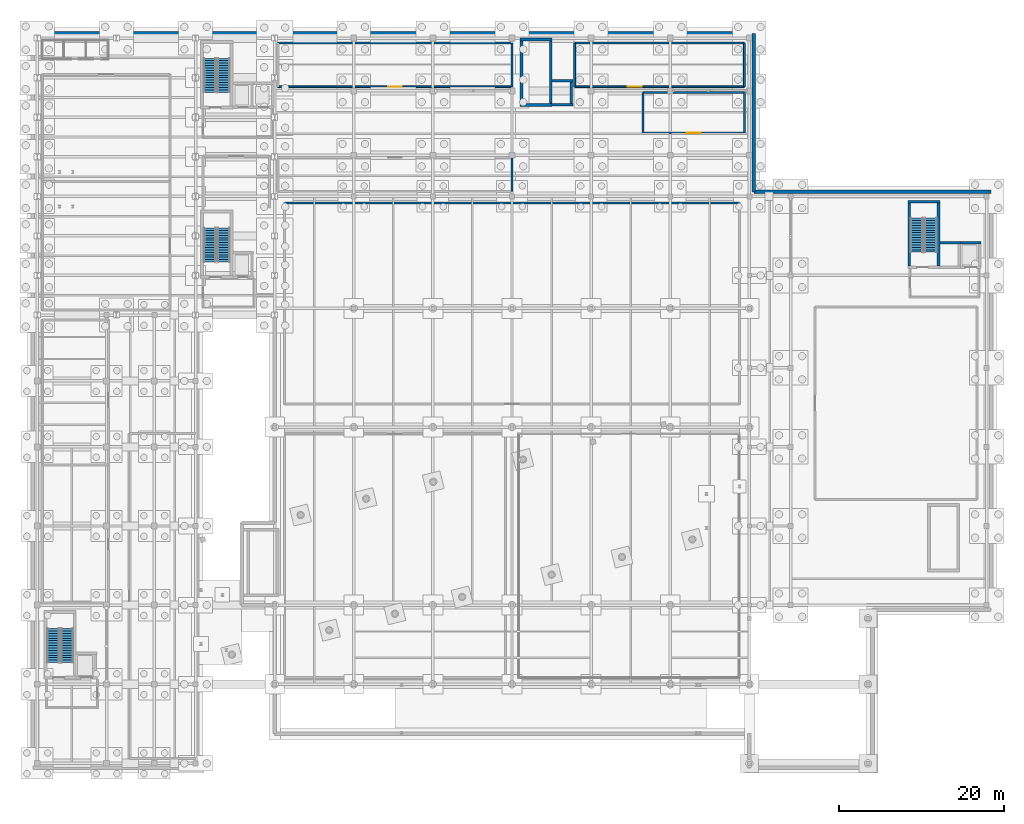
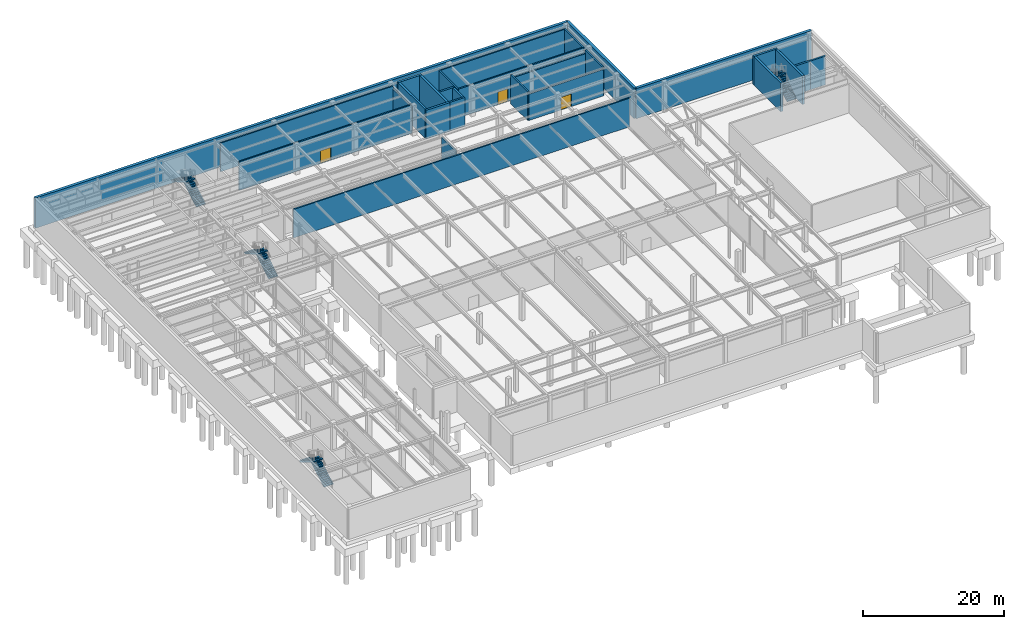
# One storey, part 27 of 33: 28 walls, 8 stair flights, 3 doors, 3 openings, 4 elements without a shape of their own.
"""IFC4 building model written with IfcOpenShell, lengths in metres."""

from ifc_helpers import new_model, si_unit, direction, frame, frame_2d, origin, place, context, subcontext, project, spatial, polyline, rectangle, outline, extrude, material, layer, layer_set, type_object, element, fill, aggregate, save


model = new_model("IFC4")

# Units and contexts
model_context = context("Model", 3, precision=1e-05, world=origin(), true_north=direction((0.0, 1.0)))
body_context = subcontext(model_context, "Body", "Model", "MODEL_VIEW")
ifc_project = project(units=[si_unit("LENGTHUNIT", "METRE"), si_unit("AREAUNIT", "SQUARE_METRE"), si_unit("VOLUMEUNIT", "CUBIC_METRE"), si_unit("PLANEANGLEUNIT", "RADIAN"), si_unit("MASSUNIT", "GRAM", prefix="KILO")], contexts=[model_context])

# Site, building, storey
site_placement = place(None, origin())
site = spatial("IfcSite", under=ifc_project, at=site_placement, CompositionType="ELEMENT")
building_placement = place(site_placement, origin())
building = spatial("IfcBuilding", under=site, at=building_placement, Name="Nordkorset Police Headquarters", CompositionType="ELEMENT")
storey_placement = place(building_placement, frame((0.0, 0.0, -9.800048828125)))
storey = spatial("IfcBuildingStorey", under=building, at=storey_placement, Name="B02", CompositionType="ELEMENT", Elevation=-9.800048828125)

# Wall, opening, door
ifc_material_1 = material(Name="Gypsum board", Category="gypsum")
ifc_layer_1 = layer(ifc_material_1, 0.219970703125, Name="Gypsum board")
ifc_layer_set_1 = layer_set([ifc_layer_1], Name="Gypsum board")
wall_type_1 = type_object("IfcWallType", Name="Wall_Comp_220", PredefinedType="PARTITIONING", material=ifc_layer_set_1)
wall_1_placement = place(storey_placement, frame((29.199951171875, 110.89990234375, 0.0), z_axis=(0.0, 0.0, 1.0), x_axis=(1.0, 0.0, 0.0)))
wall_1 = element("IfcWall", 1, at=wall_1_placement, inside=storey, type_object=wall_type_1, Name="Interior Partition Wall Compact Mobile Shelving Archive West", PredefinedType="PARTITIONING", context=body_context, shape_type="SweptSolid", body=[
    extrude(rectangle(XDim=28.400146484375, YDim=0.219970703125, at=frame_2d((14.2001953125, 0.0))), origin(), (0.0, 0.0, 1.0), 4.969970703125),
])
opening_1_placement = place(wall_1_placement, frame((13.360107421875, 0.0, 0.0)))
opening_1 = element("IfcOpeningElement", 2, at=opening_1_placement, cuts=wall_1, Name="Opening DR-15", PredefinedType="OPENING", context=body_context, shape_type="SweptSolid", body=[
    extrude(rectangle(XDim=1.679931640625, YDim=2.199951171875, at=frame_2d((0.83984375, 1.10009765625))), frame((0.0, 0.1201171875, 0.0), z_axis=(0.0, -1.0, 0.0), x_axis=(1.0, 0.0, 0.0)), (0.0, 0.0, 1.0), 0.239990234375),
])
ifc_material_2 = material(Name="Steel S355J2", Category="steel")
door_type = type_object("IfcDoorType", Name="Door_PlantDouble_1680x2200", OperationType="DOUBLE_DOOR_SINGLE_SWING", PredefinedType="DOOR", material=ifc_material_2)
door_1_placement = place(opening_1_placement, origin())
door_1 = element("IfcDoor", 3, at=door_1_placement, inside=storey, type_object=door_type, Name="Interior Door Compact Mobile Shelving Archive West", OperationType="DOUBLE_DOOR_SINGLE_SWING", OverallHeight=2.199951171875, OverallWidth=1.679931640625, PredefinedType="DOOR", context=body_context, shape_type="SweptSolid", body=[
    extrude(rectangle(XDim=1.679931640625, YDim=2.199951171875, at=frame_2d((0.83984375, 1.10009765625))), frame((0.0, 0.02490234375, 0.0), z_axis=(0.0, -1.0, 0.0), x_axis=(1.0, 0.0, 0.0)), (0.0, 0.0, 1.0), 0.050048828125),
])
fill(opening_1, door_1)

# Walls
wall_2_placement = place(storey_placement, frame((57.60009765625, 110.89990234375, 0.0), z_axis=(0.0, 0.0, 1.0), x_axis=(0.0, 1.0, 0.0)))
element("IfcWall", 4, at=wall_2_placement, inside=storey, type_object=wall_type_1, Name="Interior Partition Wall Compact Mobile Shelving Archive West", PredefinedType="PARTITIONING", context=body_context, shape_type="SweptSolid", body=[
    extrude(rectangle(XDim=5.300048828125, YDim=0.219970703125, at=frame_2d((2.64990234375, 0.0))), origin(), (0.0, 0.0, 1.0), 4.510009765625),
])
wall_3_placement = place(storey_placement, frame((57.60009765625, 116.199951171875, 0.0), z_axis=(0.0, 0.0, 1.0), x_axis=(-1.0, 0.0, 0.0)))
element("IfcWall", 5, at=wall_3_placement, inside=storey, type_object=wall_type_1, Name="Interior Partition Wall Compact Mobile Shelving Archive West", PredefinedType="PARTITIONING", context=body_context, shape_type="SweptSolid", body=[
    extrude(rectangle(XDim=28.400146484375, YDim=0.219970703125, at=frame_2d((14.2001953125, 0.0))), origin(), (0.0, 0.0, 1.0), 4.969970703125),
])

# Wall, opening, door
wall_4_placement = place(storey_placement, frame((65.199951171875, 110.89990234375, 0.0), z_axis=(0.0, 0.0, 1.0), x_axis=(1.0, 0.0, 0.0)))
wall_4 = element("IfcWall", 6, at=wall_4_placement, inside=storey, type_object=wall_type_1, Name="Interior Partition Wall Compact Mobile Shelving Archive East", PredefinedType="PARTITIONING", context=body_context, shape_type="SweptSolid", body=[
    extrude(rectangle(XDim=20.60009765625, YDim=0.219970703125, at=frame_2d((10.300048828125, 0.0))), origin(), (0.0, 0.0, 1.0), 4.969970703125),
])
opening_2_placement = place(wall_4_placement, frame((6.4599609375, 0.0, 0.0)))
opening_2 = element("IfcOpeningElement", 7, at=opening_2_placement, cuts=wall_4, Name="Opening DR-15", PredefinedType="OPENING", context=body_context, shape_type="SweptSolid", body=[
    extrude(rectangle(XDim=1.679931640625, YDim=2.199951171875, at=frame_2d((0.83984375, 1.10009765625))), frame((0.0, 0.1201171875, 0.0), z_axis=(0.0, -1.0, 0.0), x_axis=(1.0, 0.0, 0.0)), (0.0, 0.0, 1.0), 0.239990234375),
])
door_2_placement = place(opening_2_placement, frame((1.679931640625, 0.0, 0.0), z_axis=(0.0, 0.0, 1.0), x_axis=(-1.0, 0.0, 0.0)))
door_2 = element("IfcDoor", 8, at=door_2_placement, inside=storey, type_object=door_type, Name="Interior Door Compact Mobile Shelving Archive East", OperationType="DOUBLE_DOOR_SINGLE_SWING", OverallHeight=2.199951171875, OverallWidth=1.679931640625, PredefinedType="DOOR", context=body_context, shape_type="SweptSolid", body=[
    extrude(rectangle(XDim=1.679931640625, YDim=2.199951171875, at=frame_2d((0.83984375, 1.10009765625))), frame((0.0, 0.02490234375, 0.0), z_axis=(0.0, -1.0, 0.0), x_axis=(1.0, 0.0, 0.0)), (0.0, 0.0, 1.0), 0.050048828125),
])
fill(opening_2, door_2)

# Walls
wall_5_placement = place(storey_placement, frame((85.800048828125, 110.89990234375, 0.0), z_axis=(0.0, 0.0, 1.0), x_axis=(0.0, 1.0, 0.0)))
element("IfcWall", 9, at=wall_5_placement, inside=storey, type_object=wall_type_1, Name="Interior Partition Wall Compact Mobile Shelving Archive East", PredefinedType="PARTITIONING", context=body_context, shape_type="SweptSolid", body=[
    extrude(rectangle(XDim=5.300048828125, YDim=0.219970703125, at=frame_2d((2.64990234375, 0.0))), origin(), (0.0, 0.0, 1.0), 4.969970703125),
])
wall_6_placement = place(storey_placement, frame((85.800048828125, 116.199951171875, 0.0), z_axis=(0.0, 0.0, 1.0), x_axis=(-1.0, 0.0, 0.0)))
element("IfcWall", 10, at=wall_6_placement, inside=storey, type_object=wall_type_1, Name="Interior Partition Wall Compact Mobile Shelving Archive East", PredefinedType="PARTITIONING", context=body_context, shape_type="SweptSolid", body=[
    extrude(rectangle(XDim=20.60009765625, YDim=0.219970703125, at=frame_2d((10.300048828125, 0.0))), origin(), (0.0, 0.0, 1.0), 4.969970703125),
])
wall_7_placement = place(storey_placement, frame((65.199951171875, 116.199951171875, 0.0), z_axis=(0.0, 0.0, 1.0), x_axis=(0.0, -1.0, 0.0)))
element("IfcWall", 11, at=wall_7_placement, inside=storey, type_object=wall_type_1, Name="Interior Partition Wall Compact Mobile Shelving Archive East", PredefinedType="PARTITIONING", context=body_context, shape_type="SweptSolid", body=[
    extrude(rectangle(XDim=5.300048828125, YDim=0.219970703125, at=frame_2d((2.64990234375, 0.0))), origin(), (0.0, 0.0, 1.0), 4.969970703125),
])
wall_8_placement = place(storey_placement, frame((57.60009765625, 98.199951171875, 0.0), z_axis=(0.0, 0.0, 1.0), x_axis=(0.0, 1.0, 0.0)))
element("IfcWall", 12, at=wall_8_placement, inside=storey, type_object=wall_type_1, Name="Interior Partition Wall Main Switchgear Plant Room", PredefinedType="PARTITIONING", context=body_context, shape_type="SweptSolid", body=[
    extrude(rectangle(XDim=4.10009765625, YDim=0.219970703125, at=frame_2d((2.050048828125, 0.0))), origin(), (0.0, 0.0, 1.0), 4.510009765625),
])
wall_9_placement = place(storey_placement, frame((85.199951171875, 96.800048828125, 0.0), z_axis=(0.0, 0.0, 1.0), x_axis=(-1.0, 0.0, 0.0)))
element("IfcWall", 13, at=wall_9_placement, inside=storey, type_object=wall_type_1, Name="Interior Partition Wall Central Bulk Evidence Archive", PredefinedType="PARTITIONING", context=body_context, shape_type="SweptSolid", body=[
    extrude(rectangle(XDim=55.199951171875, YDim=0.219970703125, at=frame_2d((27.60009765625, 0.0))), origin(), (0.0, 0.0, 1.0), 4.969970703125),
])
ifc_material_3 = material(Name="Concrete C35/45", Category="concrete")
ifc_layer_2 = layer(ifc_material_3, 0.35009765625, Name="Concrete C35/45")
ifc_layer_set_2 = layer_set([ifc_layer_2], Name="Concrete C35/45")
wall_type_2 = type_object("IfcWallType", Name="Wall_CoreShear_350", PredefinedType="SHEAR", material=ifc_layer_set_2)
for number, where, z_axis, x_axis, name in (
    (14, (58.574951171875, 108.699951171875, 0.0), (0.0, 0.0, 1.0), (1.0, 0.0, 0.0), "Core K2 Stair Shaft South Shear Wall B02"),
    (15, (58.574951171875, 116.64990234375, 0.0), (0.0, 0.0, 1.0), (1.0, 0.0, 0.0), "Core K2 Stair Shaft North Shear Wall B02"),
):
    element("IfcWall", number, at=place(storey_placement, frame(where, z_axis=z_axis, x_axis=x_axis)), inside=storey, type_object=wall_type_2, Name=name, PredefinedType="SHEAR", context=body_context, shape_type="SweptSolid", body=[
        extrude(rectangle(XDim=3.900146484375, YDim=0.35009765625, at=frame_2d((1.9501953125, 0.0))), origin(), (0.0, 0.0, 1.0), 4.969970703125),
    ])
for number, where, z_axis, x_axis, name in (
    (16, (58.75, 108.875, 0.0), (0.0, 0.0, 1.0), (0.0, 1.0, 0.0), "Core K2 Stair Shaft West Shear Wall B02"),
    (17, (62.300048828125, 108.875, 0.0), (0.0, 0.0, 1.0), (0.0, 1.0, 0.0), "Core K2 Stair Shaft East Shear Wall B02"),
):
    element("IfcWall", number, at=place(storey_placement, frame(where, z_axis=z_axis, x_axis=x_axis)), inside=storey, type_object=wall_type_2, Name=name, PredefinedType="SHEAR", context=body_context, shape_type="SweptSolid", body=[
        extrude(rectangle(XDim=7.60009765625, YDim=0.35009765625, at=frame_2d((3.800048828125, 0.0))), origin(), (0.0, 0.0, 1.0), 4.969970703125),
    ])
wall_10_placement = place(storey_placement, frame((105.625, 96.949951171875, 0.0), z_axis=(0.0, 0.0, 1.0), x_axis=(1.0, 0.0, 0.0)))
element("IfcWall", 18, at=wall_10_placement, inside=storey, type_object=wall_type_2, Name="Core K5 Stair Shaft North Shear Wall B02", PredefinedType="SHEAR", context=body_context, shape_type="SweptSolid", body=[
    extrude(rectangle(XDim=3.89990234375, YDim=0.35009765625, at=frame_2d((1.949951171875, 0.0))), origin(), (0.0, 0.0, 1.0), 4.969970703125),
])
for number, where, z_axis, x_axis, name in (
    (19, (105.800048828125, 89.175048828125, 0.0), (0.0, 0.0, 1.0), (0.0, 1.0, 0.0), "Core K5 Stair Shaft West Shear Wall B02"),
    (20, (109.35009765625, 89.175048828125, 0.0), (0.0, 0.0, 1.0), (0.0, 1.0, 0.0), "Core K5 Stair Shaft East Shear Wall B02"),
):
    element("IfcWall", number, at=place(storey_placement, frame(where, z_axis=z_axis, x_axis=x_axis)), inside=storey, type_object=wall_type_2, Name=name, PredefinedType="SHEAR", context=body_context, shape_type="SweptSolid", body=[
        extrude(rectangle(XDim=7.599853515625, YDim=0.35009765625, at=frame_2d((3.7998046875, 0.0))), origin(), (0.0, 0.0, 1.0), 4.969970703125),
    ])
ifc_material_4 = material(Name="Concrete C40/50", Category="concrete")
ifc_layer_3 = layer(ifc_material_4, 0.449951171875, Name="Concrete C40/50")
ifc_layer_set_3 = layer_set([ifc_layer_3], Name="Concrete C40/50")
wall_type_3 = type_object("IfcWallType", Name="Wall_Retaining_450", PredefinedType="USERDEFINED", material=ifc_layer_set_3)
wall_11_placement = place(storey_placement, frame((-0.550048828125, 117.35009765625, 0.0), z_axis=(0.0, 0.0, 1.0), x_axis=(1.0, 0.0, 0.0)))
element("IfcWall", 21, at=wall_11_placement, inside=storey, type_object=wall_type_3, Name="Basement Perimeter Retaining Wall B02 W-N1", ObjectType="RETAINING WALL", PredefinedType="USERDEFINED", context=body_context, shape_type="SweptSolid", body=[
    extrude(rectangle(XDim=87.5, YDim=0.449951171875, at=frame_2d((43.75, 0.0))), origin(), (0.0, 0.0, 1.0), 5.25),
])
wall_12_placement = place(storey_placement, frame((86.949951171875, 98.14990234375, 0.0), z_axis=(0.0, 0.0, 1.0), x_axis=(1.0, 0.0, 0.0)))
element("IfcWall", 22, at=wall_12_placement, inside=storey, type_object=wall_type_3, Name="Basement Perimeter Retaining Wall B02 W-N2", ObjectType="RETAINING WALL", PredefinedType="USERDEFINED", context=body_context, shape_type="SweptSolid", body=[
    extrude(rectangle(XDim=28.800048828125, YDim=0.449951171875, at=frame_2d((14.39990234375, 0.0))), origin(), (0.0, 0.0, 1.0), 5.25),
])
wall_13_placement = place(storey_placement, frame((86.949951171875, 98.14990234375, 0.0), z_axis=(0.0, 0.0, 1.0), x_axis=(0.0, 1.0, 0.0)))
element("IfcWall", 23, at=wall_13_placement, inside=storey, type_object=wall_type_3, Name="Basement Perimeter Retaining Wall B02 W-E2", ObjectType="RETAINING WALL", PredefinedType="USERDEFINED", context=body_context, shape_type="SweptSolid", body=[
    extrude(rectangle(XDim=19.2001953125, YDim=0.449951171875, at=frame_2d((9.60009765625, 0.0))), origin(), (0.0, 0.0, 1.0), 5.25),
])
ifc_material_5 = material(Name="Concrete C35/45", Category="concrete")
ifc_layer_4 = layer(ifc_material_5, 0.300048828125, Name="Concrete C35/45")
ifc_layer_set_4 = layer_set([ifc_layer_4], Name="Concrete C35/45")
wall_type_4 = type_object("IfcWallType", Name="Wall_ShaftShear_300", PredefinedType="SHEAR", material=ifc_layer_set_4)
for number, where, z_axis, x_axis, name in (
    (24, (62.47509765625, 108.699951171875, 0.0), (0.0, 0.0, 1.0), (1.0, 0.0, 0.0), "Lift Shaft LF-04 Front Shear Wall B02"),
    (25, (62.47509765625, 111.64990234375, 0.0), (0.0, 0.0, 1.0), (1.0, 0.0, 0.0), "Lift Shaft LF-04 Rear Shear Wall B02"),
):
    element("IfcWall", number, at=place(storey_placement, frame(where, z_axis=z_axis, x_axis=x_axis)), inside=storey, type_object=wall_type_4, Name=name, PredefinedType="SHEAR", context=body_context, shape_type="SweptSolid", body=[
        extrude(rectangle(XDim=2.5, YDim=0.300048828125, at=frame_2d((1.25, 0.0))), origin(), (0.0, 0.0, 1.0), 4.969970703125),
    ])
wall_14_placement = place(storey_placement, frame((64.800048828125, 108.85009765625, 0.0), z_axis=(0.0, 0.0, 1.0), x_axis=(0.0, 1.0, 0.0)))
element("IfcWall", 26, at=wall_14_placement, inside=storey, type_object=wall_type_4, Name="Lift Shaft LF-04 East Shear Wall B02", PredefinedType="SHEAR", context=body_context, shape_type="SweptSolid", body=[
    extrude(rectangle(XDim=2.64990234375, YDim=0.300048828125, at=frame_2d((1.324951171875, 0.0))), origin(), (0.0, 0.0, 1.0), 4.969970703125),
])
for number, where, z_axis, x_axis, name in (
    (27, (109.52490234375, 91.949951171875, 0.0), (0.0, 0.0, 1.0), (1.0, 0.0, 0.0), "Lift Shaft LF-05 Rear Shear Wall B02"),
    (28, (112.02490234375, 91.949951171875, 0.0), (0.0, 0.0, 1.0), (1.0, 0.0, 0.0), "Lift Shaft LF-07 Rear Shear Wall B02"),
):
    element("IfcWall", number, at=place(storey_placement, frame(where, z_axis=z_axis, x_axis=x_axis)), inside=storey, type_object=wall_type_4, Name=name, PredefinedType="SHEAR", context=body_context, shape_type="SweptSolid", body=[
        extrude(rectangle(XDim=2.5, YDim=0.300048828125, at=frame_2d((1.25, 0.0))), origin(), (0.0, 0.0, 1.0), 4.969970703125),
    ])

# Wall, opening, door
ifc_material_6 = material(Name="Concrete C35/45", Category="concrete")
ifc_layer_5 = layer(ifc_material_6, 0.25, Name="Concrete C35/45")
ifc_layer_set_5 = layer_set([ifc_layer_5], Name="Concrete C35/45")
wall_type_5 = type_object("IfcWallType", Name="Wall_VaultRC_250", PredefinedType="SOLIDWALL", material=ifc_layer_set_5)
wall_15_placement = place(storey_placement, frame((73.5, 105.300048828125, 0.0), z_axis=(0.0, 0.0, 1.0), x_axis=(1.0, 0.0, 0.0)))
wall_15 = element("IfcWall", 29, at=wall_15_placement, inside=storey, type_object=wall_type_5, Name="Interior Partition Wall Standby Power Plant Room", PredefinedType="SOLIDWALL", context=body_context, shape_type="SweptSolid", body=[
    extrude(rectangle(XDim=12.300048828125, YDim=0.25, at=frame_2d((6.14990234375, 0.0))), origin(), (0.0, 0.0, 1.0), 4.590087890625),
])
opening_3_placement = place(wall_15_placement, frame((5.31005859375, 0.0, 0.0)))
opening_3 = element("IfcOpeningElement", 30, at=opening_3_placement, cuts=wall_15, Name="Opening DR-15", PredefinedType="OPENING", context=body_context, shape_type="SweptSolid", body=[
    extrude(rectangle(XDim=1.679931640625, YDim=2.199951171875, at=frame_2d((0.83984375, 1.10009765625))), frame((0.0, 0.135009765625, 0.0), z_axis=(0.0, -1.0, 0.0), x_axis=(1.0, 0.0, 0.0)), (0.0, 0.0, 1.0), 0.27001953125),
])
door_3_placement = place(opening_3_placement, frame((1.679931640625, 0.0, 0.0), z_axis=(0.0, 0.0, 1.0), x_axis=(-1.0, 0.0, 0.0)))
door_3 = element("IfcDoor", 31, at=door_3_placement, inside=storey, type_object=door_type, Name="Interior Door Standby Power Plant Room", OperationType="DOUBLE_DOOR_SINGLE_SWING", OverallHeight=2.199951171875, OverallWidth=1.679931640625, PredefinedType="DOOR", context=body_context, shape_type="SweptSolid", body=[
    extrude(rectangle(XDim=1.679931640625, YDim=2.199951171875, at=frame_2d((0.83984375, 1.10009765625))), frame((0.0, 0.02490234375, 0.0), z_axis=(0.0, -1.0, 0.0), x_axis=(1.0, 0.0, 0.0)), (0.0, 0.0, 1.0), 0.050048828125),
])
fill(opening_3, door_3)

# Walls
wall_16_placement = place(storey_placement, frame((85.800048828125, 105.300048828125, 0.0), z_axis=(0.0, 0.0, 1.0), x_axis=(0.0, 1.0, 0.0)))
element("IfcWall", 32, at=wall_16_placement, inside=storey, type_object=wall_type_5, Name="Interior Partition Wall Standby Power Plant Room", PredefinedType="SOLIDWALL", context=body_context, shape_type="SweptSolid", body=[
    extrude(rectangle(XDim=4.89990234375, YDim=0.25, at=frame_2d((2.449951171875, 0.0))), origin(), (0.0, 0.0, 1.0), 4.969970703125),
])
wall_17_placement = place(storey_placement, frame((85.800048828125, 110.199951171875, 0.0), z_axis=(0.0, 0.0, 1.0), x_axis=(-1.0, 0.0, 0.0)))
element("IfcWall", 33, at=wall_17_placement, inside=storey, type_object=wall_type_5, Name="Interior Partition Wall Standby Power Plant Room", PredefinedType="SOLIDWALL", context=body_context, shape_type="SweptSolid", body=[
    extrude(rectangle(XDim=12.300048828125, YDim=0.25, at=frame_2d((6.14990234375, 0.0))), origin(), (0.0, 0.0, 1.0), 4.41015625),
])
wall_18_placement = place(storey_placement, frame((73.5, 110.199951171875, 0.0), z_axis=(0.0, 0.0, 1.0), x_axis=(0.0, -1.0, 0.0)))
element("IfcWall", 34, at=wall_18_placement, inside=storey, type_object=wall_type_5, Name="Interior Partition Wall Standby Power Plant Room", PredefinedType="SOLIDWALL", context=body_context, shape_type="SweptSolid", body=[
    extrude(rectangle(XDim=4.89990234375, YDim=0.25, at=frame_2d((2.449951171875, 0.0))), origin(), (0.0, 0.0, 1.0), 4.969970703125),
])

# Stair, stair flights
ifc_material_7 = material(Name="Concrete C35/45", Category="concrete")
stair_type = type_object("IfcStairType", Name="ST-52", PredefinedType="HALF_TURN_STAIR", material=ifc_material_7)
stair_1_placement = place(storey_placement, origin())
stair_1 = element("IfcStair", 35, at=stair_1_placement, inside=storey, type_object=stair_type, Name="B02 Protected Escape Stair ST-01", PredefinedType="HALF_TURN_STAIR")
ifc_material_8 = material(Name="Concrete C35/45", Category="concrete")
stair_flight_type = type_object("IfcStairFlightType", Name="SF-52", PredefinedType="STRAIGHT", material=ifc_material_8)
stair_flight_1_placement = place(storey_placement, frame((22.625, 110.22509765625, 0.0), z_axis=(0.0, 0.0, 1.0), x_axis=(0.0, 1.0, 0.0)))
stair_flight_1 = element("IfcStairFlight", 36, at=stair_flight_1_placement, type_object=stair_flight_type, Name="ST-01 flight 1", NumberOfRisers=15, NumberOfTreads=14, PredefinedType="STRAIGHT", RiserHeight=0.175, TreadLength=0.295, context=body_context, shape_type="SweptSolid", body=[
    extrude(outline(polyline([(0.0, 0.0), (0.0, 0.175048828125), (0.294921875, 0.175048828125), (0.294921875, 0.35009765625), (0.590087890625, 0.35009765625), (0.590087890625, 0.52490234375), (0.885009765625, 0.52490234375), (0.885009765625, 0.699951171875), (1.179931640625, 0.699951171875), (1.179931640625, 0.875), (1.47509765625, 0.875), (1.47509765625, 1.050048828125), (1.77001953125, 1.050048828125), (1.77001953125, 1.22509765625), (2.06494140625, 1.22509765625), (2.06494140625, 1.39990234375), (2.360107421875, 1.39990234375), (2.360107421875, 1.574951171875), (2.655029296875, 1.574951171875), (2.655029296875, 1.75), (2.949951171875, 1.75), (2.949951171875, 1.925048828125), (3.2451171875, 1.925048828125), (3.2451171875, 2.10009765625), (3.5400390625, 2.10009765625), (3.5400390625, 2.27490234375), (3.8349609375, 2.27490234375), (3.8349609375, 2.449951171875), (4.1298828125, 2.449951171875), (4.1298828125, 2.625), (4.1298828125, 2.26416015625), (0.3134765625, 0.0), (0.0, 0.0)])), frame((0.0, 0.75, 0.0), z_axis=(0.0, -1.0, 0.0), x_axis=(1.0, 0.0, 0.0)), (0.0, 0.0, 1.0), 1.5),
])
stair_flight_2_placement = place(storey_placement, frame((20.925048828125, 114.35498046875, 2.625), z_axis=(0.0, 0.0, 1.0), x_axis=(0.0, -1.0, 0.0)))
stair_flight_2 = element("IfcStairFlight", 37, at=stair_flight_2_placement, type_object=stair_flight_type, Name="ST-01 flight 2", NumberOfRisers=15, NumberOfTreads=14, PredefinedType="STRAIGHT", RiserHeight=0.175, TreadLength=0.295, context=body_context, shape_type="SweptSolid", body=[
    extrude(outline(polyline([(0.0, 0.0), (0.0, 0.175048828125), (0.294921875, 0.175048828125), (0.294921875, 0.35009765625), (0.590087890625, 0.35009765625), (0.590087890625, 0.52490234375), (0.885009765625, 0.52490234375), (0.885009765625, 0.699951171875), (1.179931640625, 0.699951171875), (1.179931640625, 0.875), (1.47509765625, 0.875), (1.47509765625, 1.050048828125), (1.77001953125, 1.050048828125), (1.77001953125, 1.22509765625), (2.06494140625, 1.22509765625), (2.06494140625, 1.39990234375), (2.360107421875, 1.39990234375), (2.360107421875, 1.574951171875), (2.655029296875, 1.574951171875), (2.655029296875, 1.75), (2.949951171875, 1.75), (2.949951171875, 1.925048828125), (3.2451171875, 1.925048828125), (3.2451171875, 2.10009765625), (3.5400390625, 2.10009765625), (3.5400390625, 2.27490234375), (3.8349609375, 2.27490234375), (3.8349609375, 2.449951171875), (4.1298828125, 2.449951171875), (4.1298828125, 2.625), (4.1298828125, 2.26416015625), (0.3134765625, 0.0), (0.0, 0.0)])), frame((0.0, 0.75, 0.0), z_axis=(0.0, -1.0, 0.0), x_axis=(1.0, 0.0, 0.0)), (0.0, 0.0, 1.0), 1.5),
])
aggregate(stair_1, [stair_flight_1, stair_flight_2])

stair_2_placement = place(storey_placement, origin())
stair_2 = element("IfcStair", 38, at=stair_2_placement, inside=storey, type_object=stair_type, Name="B02 Protected Escape Stair ST-03", PredefinedType="HALF_TURN_STAIR")
stair_flight_3_placement = place(storey_placement, frame((22.625, 89.625, 0.0), z_axis=(0.0, 0.0, 1.0), x_axis=(0.0, 1.0, 0.0)))
stair_flight_3 = element("IfcStairFlight", 39, at=stair_flight_3_placement, type_object=stair_flight_type, Name="ST-03 flight 1", NumberOfRisers=15, NumberOfTreads=14, PredefinedType="STRAIGHT", RiserHeight=0.175, TreadLength=0.295, context=body_context, shape_type="SweptSolid", body=[
    extrude(outline(polyline([(0.0, 0.0), (0.0, 0.175048828125), (0.294921875, 0.175048828125), (0.294921875, 0.35009765625), (0.590087890625, 0.35009765625), (0.590087890625, 0.52490234375), (0.885009765625, 0.52490234375), (0.885009765625, 0.699951171875), (1.179931640625, 0.699951171875), (1.179931640625, 0.875), (1.47509765625, 0.875), (1.47509765625, 1.050048828125), (1.77001953125, 1.050048828125), (1.77001953125, 1.22509765625), (2.06494140625, 1.22509765625), (2.06494140625, 1.39990234375), (2.360107421875, 1.39990234375), (2.360107421875, 1.574951171875), (2.655029296875, 1.574951171875), (2.655029296875, 1.75), (2.949951171875, 1.75), (2.949951171875, 1.925048828125), (3.2451171875, 1.925048828125), (3.2451171875, 2.10009765625), (3.5400390625, 2.10009765625), (3.5400390625, 2.27490234375), (3.8349609375, 2.27490234375), (3.8349609375, 2.449951171875), (4.1298828125, 2.449951171875), (4.1298828125, 2.625), (4.1298828125, 2.26416015625), (0.3134765625, 0.0), (0.0, 0.0)])), frame((0.0, 0.75, 0.0), z_axis=(0.0, -1.0, 0.0), x_axis=(1.0, 0.0, 0.0)), (0.0, 0.0, 1.0), 1.5),
])
stair_flight_4_placement = place(storey_placement, frame((20.925048828125, 93.7548828125, 2.625), z_axis=(0.0, 0.0, 1.0), x_axis=(0.0, -1.0, 0.0)))
stair_flight_4 = element("IfcStairFlight", 40, at=stair_flight_4_placement, type_object=stair_flight_type, Name="ST-03 flight 2", NumberOfRisers=15, NumberOfTreads=14, PredefinedType="STRAIGHT", RiserHeight=0.175, TreadLength=0.295, context=body_context, shape_type="SweptSolid", body=[
    extrude(outline(polyline([(0.0, 0.0), (0.0, 0.175048828125), (0.294921875, 0.175048828125), (0.294921875, 0.35009765625), (0.590087890625, 0.35009765625), (0.590087890625, 0.52490234375), (0.885009765625, 0.52490234375), (0.885009765625, 0.699951171875), (1.179931640625, 0.699951171875), (1.179931640625, 0.875), (1.47509765625, 0.875), (1.47509765625, 1.050048828125), (1.77001953125, 1.050048828125), (1.77001953125, 1.22509765625), (2.06494140625, 1.22509765625), (2.06494140625, 1.39990234375), (2.360107421875, 1.39990234375), (2.360107421875, 1.574951171875), (2.655029296875, 1.574951171875), (2.655029296875, 1.75), (2.949951171875, 1.75), (2.949951171875, 1.925048828125), (3.2451171875, 1.925048828125), (3.2451171875, 2.10009765625), (3.5400390625, 2.10009765625), (3.5400390625, 2.27490234375), (3.8349609375, 2.27490234375), (3.8349609375, 2.449951171875), (4.1298828125, 2.449951171875), (4.1298828125, 2.625), (4.1298828125, 2.26416015625), (0.3134765625, 0.0), (0.0, 0.0)])), frame((0.0, 0.75, 0.0), z_axis=(0.0, -1.0, 0.0), x_axis=(1.0, 0.0, 0.0)), (0.0, 0.0, 1.0), 1.5),
])
aggregate(stair_2, [stair_flight_3, stair_flight_4])

stair_3_placement = place(storey_placement, origin())
stair_3 = element("IfcStair", 41, at=stair_3_placement, inside=storey, type_object=stair_type, Name="B02 Protected Escape Stair ST-04", PredefinedType="HALF_TURN_STAIR")
stair_flight_5_placement = place(storey_placement, frame((3.625, 41.02490234375, 0.0), z_axis=(0.0, 0.0, 1.0), x_axis=(0.0, 1.0, 0.0)))
stair_flight_5 = element("IfcStairFlight", 42, at=stair_flight_5_placement, type_object=stair_flight_type, Name="ST-04 flight 1", NumberOfRisers=15, NumberOfTreads=14, PredefinedType="STRAIGHT", RiserHeight=0.175, TreadLength=0.295, context=body_context, shape_type="SweptSolid", body=[
    extrude(outline(polyline([(0.0, 0.0), (0.0, 0.175048828125), (0.294921875, 0.175048828125), (0.294921875, 0.35009765625), (0.590087890625, 0.35009765625), (0.590087890625, 0.52490234375), (0.885009765625, 0.52490234375), (0.885009765625, 0.699951171875), (1.179931640625, 0.699951171875), (1.179931640625, 0.875), (1.47509765625, 0.875), (1.47509765625, 1.050048828125), (1.77001953125, 1.050048828125), (1.77001953125, 1.22509765625), (2.06494140625, 1.22509765625), (2.06494140625, 1.39990234375), (2.360107421875, 1.39990234375), (2.360107421875, 1.574951171875), (2.655029296875, 1.574951171875), (2.655029296875, 1.75), (2.949951171875, 1.75), (2.949951171875, 1.925048828125), (3.2451171875, 1.925048828125), (3.2451171875, 2.10009765625), (3.5400390625, 2.10009765625), (3.5400390625, 2.27490234375), (3.8349609375, 2.27490234375), (3.8349609375, 2.449951171875), (4.1298828125, 2.449951171875), (4.1298828125, 2.625), (4.1298828125, 2.26416015625), (0.3134765625, 0.0), (0.0, 0.0)])), frame((0.0, 0.75, 0.0), z_axis=(0.0, -1.0, 0.0), x_axis=(1.0, 0.0, 0.0)), (0.0, 0.0, 1.0), 1.5),
])
stair_flight_6_placement = place(storey_placement, frame((1.925048828125, 45.155029296875, 2.625), z_axis=(0.0, 0.0, 1.0), x_axis=(0.0, -1.0, 0.0)))
stair_flight_6 = element("IfcStairFlight", 43, at=stair_flight_6_placement, type_object=stair_flight_type, Name="ST-04 flight 2", NumberOfRisers=15, NumberOfTreads=14, PredefinedType="STRAIGHT", RiserHeight=0.175, TreadLength=0.295, context=body_context, shape_type="SweptSolid", body=[
    extrude(outline(polyline([(0.0, 0.0), (0.0, 0.175048828125), (0.294921875, 0.175048828125), (0.294921875, 0.35009765625), (0.590087890625, 0.35009765625), (0.590087890625, 0.52490234375), (0.885009765625, 0.52490234375), (0.885009765625, 0.699951171875), (1.179931640625, 0.699951171875), (1.179931640625, 0.875), (1.47509765625, 0.875), (1.47509765625, 1.050048828125), (1.77001953125, 1.050048828125), (1.77001953125, 1.22509765625), (2.06494140625, 1.22509765625), (2.06494140625, 1.39990234375), (2.360107421875, 1.39990234375), (2.360107421875, 1.574951171875), (2.655029296875, 1.574951171875), (2.655029296875, 1.75), (2.949951171875, 1.75), (2.949951171875, 1.925048828125), (3.2451171875, 1.925048828125), (3.2451171875, 2.10009765625), (3.5400390625, 2.10009765625), (3.5400390625, 2.27490234375), (3.8349609375, 2.27490234375), (3.8349609375, 2.449951171875), (4.1298828125, 2.449951171875), (4.1298828125, 2.625), (4.1298828125, 2.26416015625), (0.3134765625, 0.0), (0.0, 0.0)])), frame((0.0, 0.75, 0.0), z_axis=(0.0, -1.0, 0.0), x_axis=(1.0, 0.0, 0.0)), (0.0, 0.0, 1.0), 1.5),
])
aggregate(stair_3, [stair_flight_5, stair_flight_6])

stair_4_placement = place(storey_placement, origin())
stair_4 = element("IfcStair", 44, at=stair_4_placement, inside=storey, type_object=stair_type, Name="B02 Protected Escape Stair ST-05", PredefinedType="HALF_TURN_STAIR")
stair_flight_7_placement = place(storey_placement, frame((108.425048828125, 90.824951171875, 0.0), z_axis=(0.0, 0.0, 1.0), x_axis=(0.0, 1.0, 0.0)))
stair_flight_7 = element("IfcStairFlight", 45, at=stair_flight_7_placement, type_object=stair_flight_type, Name="ST-05 flight 1", NumberOfRisers=15, NumberOfTreads=14, PredefinedType="STRAIGHT", RiserHeight=0.175, TreadLength=0.295, context=body_context, shape_type="SweptSolid", body=[
    extrude(outline(polyline([(0.0, 0.0), (0.0, 0.175048828125), (0.294921875, 0.175048828125), (0.294921875, 0.35009765625), (0.590087890625, 0.35009765625), (0.590087890625, 0.52490234375), (0.885009765625, 0.52490234375), (0.885009765625, 0.699951171875), (1.179931640625, 0.699951171875), (1.179931640625, 0.875), (1.47509765625, 0.875), (1.47509765625, 1.050048828125), (1.77001953125, 1.050048828125), (1.77001953125, 1.22509765625), (2.06494140625, 1.22509765625), (2.06494140625, 1.39990234375), (2.360107421875, 1.39990234375), (2.360107421875, 1.574951171875), (2.655029296875, 1.574951171875), (2.655029296875, 1.75), (2.949951171875, 1.75), (2.949951171875, 1.925048828125), (3.2451171875, 1.925048828125), (3.2451171875, 2.10009765625), (3.5400390625, 2.10009765625), (3.5400390625, 2.27490234375), (3.8349609375, 2.27490234375), (3.8349609375, 2.449951171875), (4.1298828125, 2.449951171875), (4.1298828125, 2.625), (4.1298828125, 2.26416015625), (0.3134765625, 0.0), (0.0, 0.0)])), frame((0.0, 0.75, 0.0), z_axis=(0.0, -1.0, 0.0), x_axis=(1.0, 0.0, 0.0)), (0.0, 0.0, 1.0), 1.5),
])
stair_flight_8_placement = place(storey_placement, frame((106.72509765625, 94.955078125, 2.625), z_axis=(0.0, 0.0, 1.0), x_axis=(0.0, -1.0, 0.0)))
stair_flight_8 = element("IfcStairFlight", 46, at=stair_flight_8_placement, type_object=stair_flight_type, Name="ST-05 flight 2", NumberOfRisers=15, NumberOfTreads=14, PredefinedType="STRAIGHT", RiserHeight=0.175, TreadLength=0.295, context=body_context, shape_type="SweptSolid", body=[
    extrude(outline(polyline([(0.0, 0.0), (0.0, 0.175048828125), (0.294921875, 0.175048828125), (0.294921875, 0.35009765625), (0.590087890625, 0.35009765625), (0.590087890625, 0.52490234375), (0.885009765625, 0.52490234375), (0.885009765625, 0.699951171875), (1.179931640625, 0.699951171875), (1.179931640625, 0.875), (1.47509765625, 0.875), (1.47509765625, 1.050048828125), (1.77001953125, 1.050048828125), (1.77001953125, 1.22509765625), (2.06494140625, 1.22509765625), (2.06494140625, 1.39990234375), (2.360107421875, 1.39990234375), (2.360107421875, 1.574951171875), (2.655029296875, 1.574951171875), (2.655029296875, 1.75), (2.949951171875, 1.75), (2.949951171875, 1.925048828125), (3.2451171875, 1.925048828125), (3.2451171875, 2.10009765625), (3.5400390625, 2.10009765625), (3.5400390625, 2.27490234375), (3.8349609375, 2.27490234375), (3.8349609375, 2.449951171875), (4.1298828125, 2.449951171875), (4.1298828125, 2.625), (4.1298828125, 2.26416015625), (0.3134765625, 0.0), (0.0, 0.0)])), frame((0.0, 0.75, 0.0), z_axis=(0.0, -1.0, 0.0), x_axis=(1.0, 0.0, 0.0)), (0.0, 0.0, 1.0), 1.5),
])
aggregate(stair_4, [stair_flight_7, stair_flight_8])

save(model, "model.ifc")
